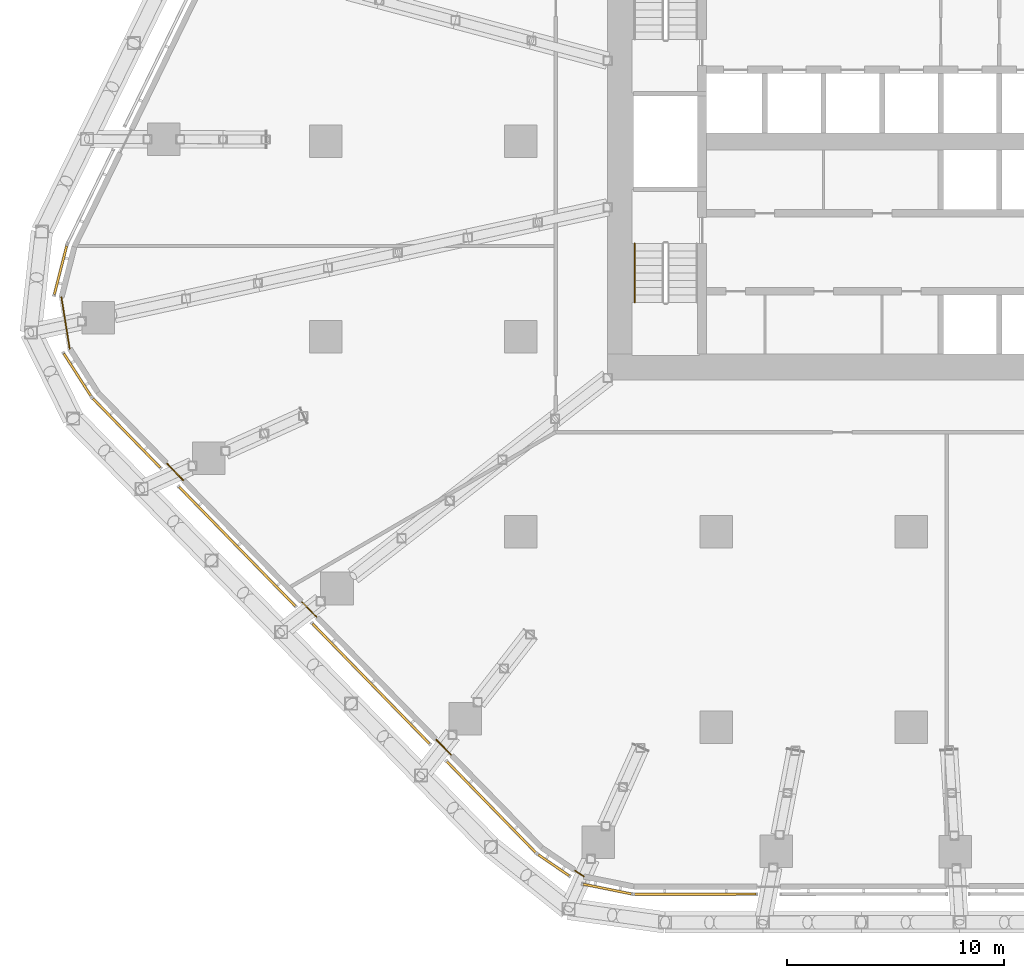
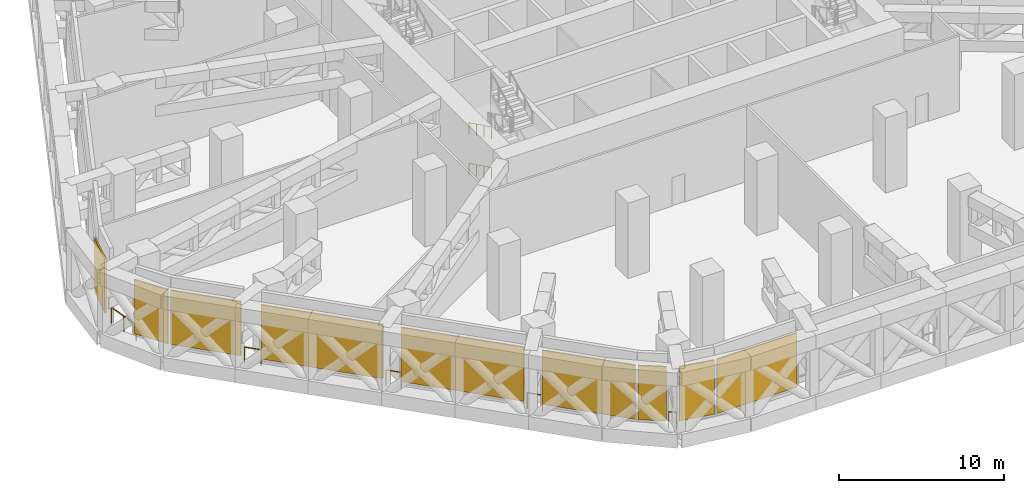
# One storey, part 31 of 38: 9 coverings, 7 railings, 4 elements without a shape of their own.
"""IFC4 building model written with IfcOpenShell, lengths in metres."""

from ifc_helpers import new_model, si_unit, direction, frame, origin, origin_2d, place, context, subcontext, project, spatial, rectangle, circle, extrude, material, layer, layer_set, type_object, element, aggregate, save


model = new_model("IFC4")

# Units and contexts
model_context = context("Model", 3, precision=1e-05, world=origin(), true_north=direction((0.0, 1.0)))
body_context = subcontext(model_context, "Body", "Model", "MODEL_VIEW")
ifc_project = project(units=[si_unit("LENGTHUNIT", "METRE"), si_unit("AREAUNIT", "SQUARE_METRE"), si_unit("VOLUMEUNIT", "CUBIC_METRE"), si_unit("PLANEANGLEUNIT", "RADIAN"), si_unit("MASSUNIT", "GRAM", prefix="KILO")], contexts=[model_context])

# Site, building, storey
site_placement = place(None, origin())
site = spatial("IfcSite", under=ifc_project, at=site_placement, CompositionType="ELEMENT")
building_placement = place(site_placement, origin())
building = spatial("IfcBuilding", under=site, at=building_placement, Name="Dongbaek Canopy Tower", CompositionType="ELEMENT")
storey_placement = place(building_placement, frame((0.0, 0.0, 89.199951171875)))
storey = spatial("IfcBuildingStorey", under=building, at=storey_placement, Name="L18", CompositionType="ELEMENT", Elevation=89.199951171875)

# Curtain wall, coverings
ifc_material_1 = material(Name="Aluminium 6063-T6 pale anodised", Category="aluminium")
ifc_layer_1 = layer(ifc_material_1, 0.14990234375)
ifc_layer_set_1 = layer_set([ifc_layer_1], Name="CW-7 louvre curtain wall")
curtain_wall_type = type_object("IfcCurtainWallType", Name="CW-7 louvre curtain wall", PredefinedType="NOTDEFINED", material=ifc_layer_set_1)
curtain_wall_1_placement = place(storey_placement, origin())
curtain_wall_1 = element("IfcCurtainWall", 1, at=curtain_wall_1_placement, inside=storey, type_object=curtain_wall_type, Name="CW-7 louvre wall L18 K3", PredefinedType="NOTDEFINED")
ifc_material_2 = material(Name="Aluminium 6063-T6 pale metal louvre blades", Category="aluminium")
ifc_layer_2 = layer(ifc_material_2, 0.10009765625)
ifc_layer_set_2 = layer_set([ifc_layer_2], Name="Louvre LV bank 100 x 4000")
covering_type = type_object("IfcCoveringType", Name="Louvre LV bank 100 x 4000", PredefinedType="CLADDING", material=ifc_layer_set_2)
covering_1_placement = place(storey_placement, frame((-39.224853515625, -5.933837890625, 0.775146484375), z_axis=(0.0, 0.0, 1.0), x_axis=(-0.246731155393, -0.969083967961, 0.0)))
covering_1 = element("IfcCovering", 2, at=covering_1_placement, type_object=covering_type, Name="Louvre L18 K3.1.1", PredefinedType="CLADDING", context=body_context, shape_type="SweptSolid", body=[
    extrude(rectangle(XDim=2.315185546875, YDim=0.10009765625, at=origin_2d()), origin(), (0.0, 0.0, 1.0), 4.0),
])
covering_2_placement = place(storey_placement, frame((-38.449462890625, -10.751708984375, 0.775146484375), z_axis=(0.0, 0.0, 1.0), x_axis=(0.538302881917, -0.8427514505, 0.0)))
covering_2 = element("IfcCovering", 3, at=covering_2_placement, type_object=covering_type, Name="Louvre L18 K3.2.1", PredefinedType="CLADDING", context=body_context, shape_type="SweptSolid", body=[
    extrude(rectangle(XDim=2.315185546875, YDim=0.10009765625, at=origin_2d()), origin(), (0.0, 0.0, 1.0), 4.0),
])
aggregate(curtain_wall_1, [covering_1, covering_2])

curtain_wall_2_placement = place(storey_placement, origin())
curtain_wall_2 = element("IfcCurtainWall", 4, at=curtain_wall_2_placement, inside=storey, type_object=curtain_wall_type, Name="CW-7 louvre wall L18 F3", PredefinedType="NOTDEFINED")
covering_3_placement = place(storey_placement, frame((-36.17529296875, -13.44384765625, 0.775146484375), z_axis=(0.0, 0.0, 1.0), x_axis=(0.698181284581, -0.715921010909, 0.0)))
covering_3 = element("IfcCovering", 5, at=covering_3_placement, type_object=covering_type, Name="Louvre L18 F3.1.1", PredefinedType="CLADDING", context=body_context, shape_type="SweptSolid", body=[
    extrude(rectangle(XDim=4.443359375, YDim=0.10009765625, at=origin_2d()), origin(), (0.0, 0.0, 1.0), 4.0),
])
covering_4_placement = place(storey_placement, frame((-31.080078125, -18.66845703125, 0.775146484375), z_axis=(0.0, 0.0, 1.0), x_axis=(0.698181284581, -0.715921010909, 0.0)))
covering_4 = element("IfcCovering", 6, at=covering_4_placement, type_object=covering_type, Name="Louvre L18 F3.2.1", PredefinedType="CLADDING", context=body_context, shape_type="SweptSolid", body=[
    extrude(rectangle(XDim=7.662841796875, YDim=0.10009765625, at=origin_2d()), origin(), (0.0, 0.0, 1.0), 4.0),
])
covering_5_placement = place(storey_placement, frame((-24.912353515625, -24.992919921875, 0.775146484375), z_axis=(0.0, 0.0, 1.0), x_axis=(0.698181284581, -0.715921010909, 0.0)))
covering_5 = element("IfcCovering", 7, at=covering_5_placement, type_object=covering_type, Name="Louvre L18 F3.3.1", PredefinedType="CLADDING", context=body_context, shape_type="SweptSolid", body=[
    extrude(rectangle(XDim=7.73046875, YDim=0.10009765625, at=origin_2d()), origin(), (0.0, 0.0, 1.0), 4.0),
])
covering_6_placement = place(storey_placement, frame((-19.3671875, -30.678955078125, 0.775146484375), z_axis=(0.0, 0.0, 1.0), x_axis=(0.698181284581, -0.715921010909, 0.0)))
covering_6 = element("IfcCovering", 8, at=covering_6_placement, type_object=covering_type, Name="Louvre L18 F3.4.1", PredefinedType="CLADDING", context=body_context, shape_type="SweptSolid", body=[
    extrude(rectangle(XDim=5.854248046875, YDim=0.10009765625, at=origin_2d()), origin(), (0.0, 0.0, 1.0), 4.0),
])
aggregate(curtain_wall_2, [covering_3, covering_4, covering_5, covering_6])

curtain_wall_3_placement = place(storey_placement, origin())
curtain_wall_3 = element("IfcCurtainWall", 9, at=curtain_wall_3_placement, inside=storey, type_object=curtain_wall_type, Name="CW-7 louvre wall L18 K4", PredefinedType="NOTDEFINED")
covering_7_placement = place(storey_placement, frame((-16.488525390625, -33.363037109375, 0.775146484375), z_axis=(0.0, 0.0, 1.0), x_axis=(0.826279799797, -0.563259880027, 0.0)))
covering_7 = element("IfcCovering", 10, at=covering_7_placement, type_object=covering_type, Name="Louvre L18 K4.1.1", PredefinedType="CLADDING", context=body_context, shape_type="SweptSolid", body=[
    extrude(rectangle(XDim=1.725830078125, YDim=0.10009765625, at=origin_2d()), origin(), (0.0, 0.0, 1.0), 4.0),
])
covering_8_placement = place(storey_placement, frame((-14.018310546875, -34.461181640625, 0.775146484375), z_axis=(0.0, 0.0, 1.0), x_axis=(0.980246454799, -0.197779897497, 0.0)))
covering_8 = element("IfcCovering", 11, at=covering_8_placement, type_object=covering_type, Name="Louvre L18 K4.2.1", PredefinedType="CLADDING", context=body_context, shape_type="SweptSolid", body=[
    extrude(rectangle(XDim=2.25927734375, YDim=0.10009765625, at=origin_2d()), origin(), (0.0, 0.0, 1.0), 4.0),
])
aggregate(curtain_wall_3, [covering_7, covering_8])

# Curtain wall, covering
curtain_wall_4_placement = place(storey_placement, origin())
curtain_wall_4 = element("IfcCurtainWall", 12, at=curtain_wall_4_placement, inside=storey, type_object=curtain_wall_type, Name="CW-7 louvre wall L18 F4", PredefinedType="NOTDEFINED")
covering_9_placement = place(storey_placement, frame((-9.955322265625, -34.69873046875, 0.775146484375), z_axis=(0.0, 0.0, 1.0), x_axis=(0.999999862689, 0.000524044387, 0.0)))
covering_9 = element("IfcCovering", 13, at=covering_9_placement, type_object=covering_type, Name="Louvre L18 F4.1.1", PredefinedType="CLADDING", context=body_context, shape_type="SweptSolid", body=[
    extrude(rectangle(XDim=5.59423828125, YDim=0.10009765625, at=origin_2d()), origin(), (0.0, 0.0, 1.0), 4.0),
])
aggregate(curtain_wall_4, [covering_9])

# Railings
ifc_material_3 = material(Name="Stainless steel", Category="steel")
railing_type_1 = type_object("IfcRailingType", Name="Plant opening guard 1200", PredefinedType="GUARDRAIL", material=ifc_material_3)
railing_1_placement = place(storey_placement, frame((-39.182373046875, -7.185546875, 0.0)))
element("IfcRailing", 14, at=railing_1_placement, inside=storey, type_object=railing_type_1, Name="Plant opening guard L18 K3 1", PredefinedType="GUARDRAIL", context=body_context, shape_type="SweptSolid", body=[
    extrude(circle(Radius=0.02392578125, at=origin_2d()), frame((0.0, 0.0, 1.17578125), z_axis=(0.158841368691, -0.987304117075, 0.0), x_axis=(0.987304117075, 0.158841368691, 0.0)), (0.0, 0.0, 1.0), 2.394775390625),
    extrude(circle(Radius=0.02099609375, at=origin_2d()), origin(), (0.0, 0.0, 1.0), 1.15185546875),
    extrude(circle(Radius=0.02099609375, at=origin_2d()), frame((0.190185546875, -1.18212890625, 0.0)), (0.0, 0.0, 1.0), 1.15185546875),
    extrude(circle(Radius=0.02099609375, at=origin_2d()), frame((0.38037109375, -2.3642578125, 0.0)), (0.0, 0.0, 1.0), 1.15185546875),
])
railing_2_placement = place(storey_placement, frame((-34.30712890625, -14.858154296875, 0.0)))
element("IfcRailing", 15, at=railing_2_placement, inside=storey, type_object=railing_type_1, Name="Plant opening guard L18 F3 1", PredefinedType="GUARDRAIL", context=body_context, shape_type="SweptSolid", body=[
    extrude(circle(Radius=0.02392578125, at=origin_2d()), frame((0.0, 0.0, 1.17578125), z_axis=(0.698135747566, -0.715965416741, 0.0), x_axis=(0.715965416741, 0.698135747566, 0.0)), (0.0, 0.0, 1.0), 1.054443359375),
    extrude(circle(Radius=0.02099609375, at=origin_2d()), origin(), (0.0, 0.0, 1.0), 1.15185546875),
    extrude(circle(Radius=0.02099609375, at=origin_2d()), frame((0.736083984375, -0.7548828125, 0.0)), (0.0, 0.0, 1.0), 1.15185546875),
])
railing_3_placement = place(storey_placement, frame((-28.08837890625, -21.235107421875, 0.0)))
element("IfcRailing", 16, at=railing_3_placement, inside=storey, type_object=railing_type_1, Name="Plant opening guard L18 F3 2", PredefinedType="GUARDRAIL", context=body_context, shape_type="SweptSolid", body=[
    extrude(circle(Radius=0.02392578125, at=origin_2d()), frame((0.0, 0.0, 1.17578125), z_axis=(0.698291652161, -0.715813361514, 0.0), x_axis=(0.715813361514, 0.698291652161, 0.0)), (0.0, 0.0, 1.0), 0.947509765625),
    extrude(circle(Radius=0.02099609375, at=origin_2d()), origin(), (0.0, 0.0, 1.0), 1.15185546875),
    extrude(circle(Radius=0.02099609375, at=origin_2d()), frame((0.66162109375, -0.67822265625, 0.0)), (0.0, 0.0, 1.0), 1.15185546875),
])
railing_4_placement = place(storey_placement, frame((-21.896728515625, -27.583984375, 0.0)))
element("IfcRailing", 17, at=railing_4_placement, inside=storey, type_object=railing_type_1, Name="Plant opening guard L18 F3 3", PredefinedType="GUARDRAIL", context=body_context, shape_type="SweptSolid", body=[
    extrude(circle(Radius=0.02392578125, at=origin_2d()), frame((0.0, 0.0, 1.17578125), z_axis=(0.698145786339, -0.715955627827, 0.0), x_axis=(0.715955627827, 0.698145786339, 0.0)), (0.0, 0.0, 1.0), 0.95947265625),
    extrude(circle(Radius=0.02099609375, at=origin_2d()), origin(), (0.0, 0.0, 1.0), 1.15185546875),
    extrude(circle(Radius=0.02099609375, at=origin_2d()), frame((0.669921875, -0.68701171875, 0.0)), (0.0, 0.0, 1.0), 1.15185546875),
])
railing_5_placement = place(storey_placement, frame((-15.499755859375, -33.61328125, 0.0)))
element("IfcRailing", 18, at=railing_5_placement, inside=storey, type_object=railing_type_1, Name="Plant opening guard L18 K4 1", PredefinedType="GUARDRAIL", context=body_context, shape_type="SweptSolid", body=[
    extrude(circle(Radius=0.02392578125, at=origin_2d()), frame((0.0, 0.0, 1.17578125), z_axis=(0.82609912522, -0.56352483114, 0.0), x_axis=(0.56352483114, 0.82609912522, 0.0)), (0.0, 0.0, 1.0), 0.4833984375),
    extrude(circle(Radius=0.02099609375, at=origin_2d()), origin(), (0.0, 0.0, 1.0), 1.15185546875),
    extrude(circle(Radius=0.02099609375, at=origin_2d()), frame((0.3994140625, -0.2724609375, 0.0)), (0.0, 0.0, 1.0), 1.15185546875),
])
ifc_material_4 = material(Name="Stainless steel tube", Category="steel")
railing_type_2 = type_object("IfcRailingType", Name="Stair handrail 900", PredefinedType="HANDRAIL", material=ifc_material_4)
for number, where, name in (
    (19, (-12.75, -4.699951171875, 0.166748046875), "L18 ST-D stair handrail 1"),
    (20, (-12.75, -4.699951171875, 3.166748046875), "L18 ST-D stair handrail 3"),
):
    element("IfcRailing", number, at=place(storey_placement, frame(where)), inside=storey, type_object=railing_type_2, Name=name, PredefinedType="HANDRAIL", context=body_context, shape_type="SweptSolid", body=[
        extrude(circle(Radius=0.02392578125, at=origin_2d()), frame((0.0, 0.0, 0.8759765625), z_axis=(0.0, -0.897929466783, 0.4401393787), x_axis=(1.0, 0.0, 0.0)), (0.0, 0.0, 1.0), 3.029052734375),
        extrude(circle(Radius=0.02099609375, at=origin_2d()), origin(), (0.0, 0.0, 1.0), 0.851806640625),
        extrude(circle(Radius=0.02099609375, at=origin_2d()), frame((0.0, -0.90673828125, 0.4443359375)), (0.0, 0.0, 1.0), 0.851806640625),
        extrude(circle(Radius=0.02099609375, at=origin_2d()), frame((0.0, -1.813232421875, 0.888916015625)), (0.0, 0.0, 1.0), 0.851806640625),
        extrude(circle(Radius=0.02099609375, at=origin_2d()), frame((0.0, -2.719970703125, 1.333251953125)), (0.0, 0.0, 1.0), 0.851806640625),
    ])

save(model, "model.ifc")
